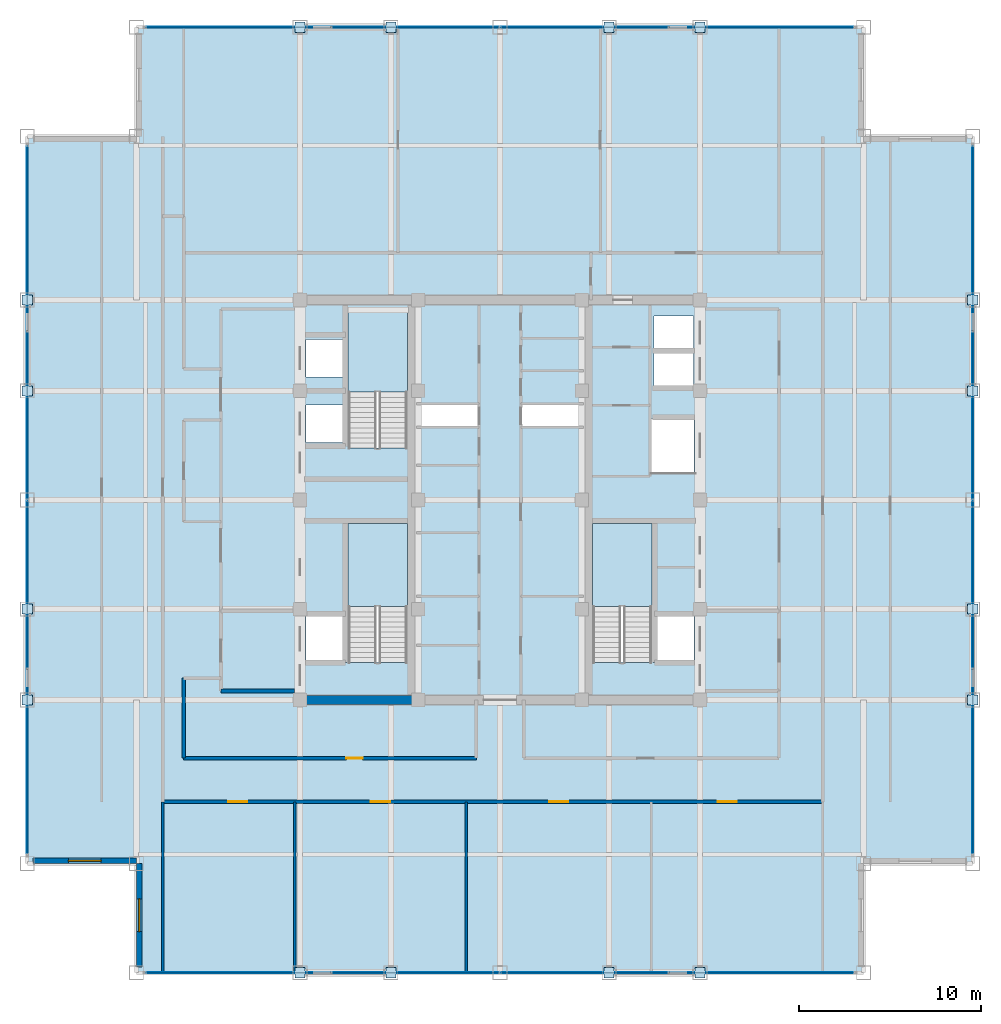
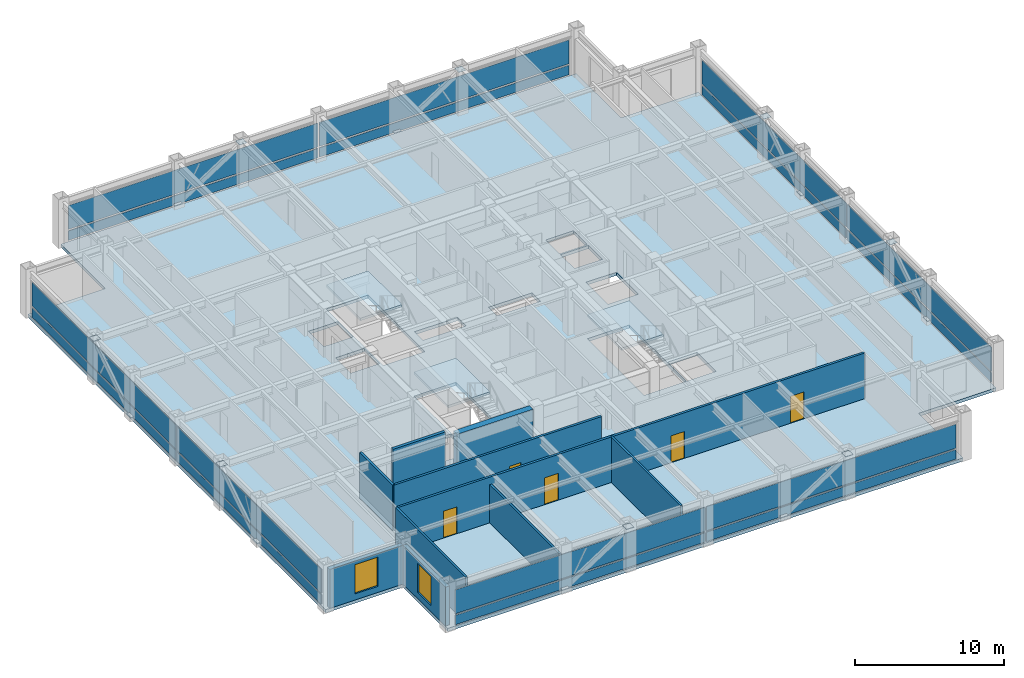
# One storey, part 23 of 28: 32 plates, 10 walls, 5 doors, 4 slabs, 2 windows, 7 openings, 7 elements without a shape of their own.
"""IFC4 building model written with IfcOpenShell, lengths in metres."""

from ifc_helpers import new_model, si_unit, direction, frame, frame_2d, origin, origin_2d, place, context, subcontext, project, spatial, polyline, rectangle, outline, extrude, source, transform, mapped, material, layer, layer_set, type_object, element, fill, aggregate, save


model = new_model("IFC4")

# Units and contexts
model_context = context("Model", 3, precision=1e-05, world=origin(), true_north=direction((0.0, 1.0)))
body_context = subcontext(model_context, "Body", "Model", "MODEL_VIEW")
ifc_project = project(units=[si_unit("LENGTHUNIT", "METRE"), si_unit("AREAUNIT", "SQUARE_METRE"), si_unit("VOLUMEUNIT", "CUBIC_METRE"), si_unit("PLANEANGLEUNIT", "RADIAN"), si_unit("MASSUNIT", "GRAM", prefix="KILO")], contexts=[model_context])

# Site, building, storey
site_placement = place(None, origin())
site = spatial("IfcSite", under=ifc_project, at=site_placement, CompositionType="ELEMENT")
building_placement = place(site_placement, origin())
building = spatial("IfcBuilding", under=site, at=building_placement, Name="Khorayat Bourse Tower", CompositionType="ELEMENT")
storey_placement = place(building_placement, frame((0.0, 0.0, 334.300048828125)))
storey = spatial("IfcBuildingStorey", under=building, at=storey_placement, Name="L79", CompositionType="ELEMENT", Elevation=334.300048828125)

# Stair, slab
ifc_material_1 = material(Name="Concrete C40/50", Category="concrete")
stair_type = type_object("IfcStairType", Name="STR-CORE-1550", PredefinedType="HALF_TURN_STAIR", material=ifc_material_1)
stair_1_placement = place(storey_placement, origin())
stair_1 = element("IfcStair", 1, at=stair_1_placement, inside=storey, type_object=stair_type, Name="L79 Exit Stair ST-1", PredefinedType="HALF_TURN_STAIR")
ifc_layer_1 = layer(ifc_material_1, 0.199951171875)
ifc_layer_set_1 = layer_set([ifc_layer_1], Name="Concrete C40/50")
slab_type_1 = type_object("IfcSlabType", Name="SLB-LANDING-200", PredefinedType="LANDING", material=ifc_layer_set_1)
slab_1_placement = place(storey_placement, frame((0.0, 0.0, 1.800048828125)))
slab_1 = element("IfcSlab", 2, at=slab_1_placement, type_object=slab_type_1, Name="ST-1 landing 1", PredefinedType="LANDING", context=body_context, shape_type="SweptSolid", body=[
    extrude(outline(polyline([(-5.10009765625, -5.8701171875), (-5.10009765625, -1.300048828125), (-8.35009765625, -1.300048828125), (-8.35009765625, -5.8701171875), (-5.10009765625, -5.8701171875)])), origin(), (0.0, 0.0, 1.0), 0.199951171875),
])
aggregate(stair_1, [slab_1])

stair_2_placement = place(storey_placement, origin())
stair_2 = element("IfcStair", 3, at=stair_2_placement, inside=storey, type_object=stair_type, Name="L79 Exit Stair ST-2", PredefinedType="HALF_TURN_STAIR")
slab_2_placement = place(storey_placement, frame((0.0, 0.0, 1.800048828125)))
slab_2 = element("IfcSlab", 4, at=slab_2_placement, type_object=slab_type_1, Name="ST-2 landing 1", PredefinedType="LANDING", context=body_context, shape_type="SweptSolid", body=[
    extrude(outline(polyline([(-5.10009765625, 5.929931640625), (-5.10009765625, 10.5), (-8.35009765625, 10.5), (-8.35009765625, 5.929931640625), (-5.10009765625, 5.929931640625)])), origin(), (0.0, 0.0, 1.0), 0.199951171875),
])
aggregate(stair_2, [slab_2])

stair_3_placement = place(storey_placement, origin())
stair_3 = element("IfcStair", 5, at=stair_3_placement, inside=storey, type_object=stair_type, Name="L79 Exit Stair ST-3", PredefinedType="HALF_TURN_STAIR")
slab_3_placement = place(storey_placement, frame((0.0, 0.0, 1.800048828125)))
slab_3 = element("IfcSlab", 6, at=slab_3_placement, type_object=slab_type_1, Name="ST-3 landing 1", PredefinedType="LANDING", context=body_context, shape_type="SweptSolid", body=[
    extrude(outline(polyline([(8.35009765625, -5.8701171875), (8.35009765625, -1.300048828125), (5.10009765625, -1.300048828125), (5.10009765625, -5.8701171875), (8.35009765625, -5.8701171875)])), origin(), (0.0, 0.0, 1.0), 0.199951171875),
])
aggregate(stair_3, [slab_3])

# Slab
ifc_layer_2 = layer(ifc_material_1, 0.219970703125)
ifc_layer_set_2 = layer_set([ifc_layer_2], Name="Concrete C40/50")
slab_type_2 = type_object("IfcSlabType", Name="SLB-OFFICE-220", PredefinedType="FLOOR", material=ifc_layer_set_2)
slab_4_placement = place(storey_placement, frame((0.0, 0.0, -0.260009765625)))
element("IfcSlab", 7, at=slab_4_placement, inside=storey, type_object=slab_type_2, Name="L79 Main Floor Slab", PredefinedType="FLOOR", context=body_context, shape_type="SweptSolid", body=[
    extrude(outline(polyline([(-20.0, -26.0), (20.0, -26.0), (20.0, -20.0), (26.0, -20.0), (26.0, 20.0), (20.0, 20.0), (20.0, 26.0), (-20.0, 26.0), (-20.0, 20.0), (-26.0, 20.0), (-26.0, -20.0), (-20.0, -20.0), (-20.0, -26.0)]), holes=[polyline([(-8.35009765625, -8.945068359375), (-5.10009765625, -8.945068359375), (-5.10009765625, -1.300048828125), (-8.35009765625, -1.300048828125), (-8.35009765625, -8.945068359375)]), polyline([(-8.35009765625, 2.85498046875), (-5.10009765625, 2.85498046875), (-5.10009765625, 10.5), (-8.35009765625, 10.5), (-8.35009765625, 2.85498046875)]), polyline([(5.10009765625, -8.945068359375), (8.35009765625, -8.945068359375), (8.35009765625, -1.300048828125), (5.10009765625, -1.300048828125), (5.10009765625, -8.945068359375)]), polyline([(-10.679931640625, 3.169921875), (-8.419921875, 3.169921875), (-8.419921875, 5.22998046875), (-10.679931640625, 5.22998046875), (-10.679931640625, 3.169921875)]), polyline([(-10.679931640625, 6.77001953125), (-8.419921875, 6.77001953125), (-8.419921875, 8.830078125), (-10.679931640625, 8.830078125), (-10.679931640625, 6.77001953125)]), polyline([(8.469970703125, 6.27001953125), (10.6298828125, 6.27001953125), (10.6298828125, 8.1298828125), (8.469970703125, 8.1298828125), (8.469970703125, 6.27001953125)]), polyline([(8.469970703125, 8.27001953125), (10.6298828125, 8.27001953125), (10.6298828125, 10.1298828125), (8.469970703125, 10.1298828125), (8.469970703125, 8.27001953125)]), polyline([(-10.679931640625, -8.929931640625), (-8.419921875, -8.929931640625), (-8.419921875, -6.3701171875), (-10.679931640625, -6.3701171875), (-10.679931640625, -8.929931640625)]), polyline([(8.419921875, -8.929931640625), (10.679931640625, -8.929931640625), (10.679931640625, -6.3701171875), (8.419921875, -6.3701171875), (8.419921875, -8.929931640625)]), polyline([(8.320068359375, 1.52001953125), (10.679931640625, 1.52001953125), (10.679931640625, 4.47998046875), (8.320068359375, 4.47998046875), (8.320068359375, 1.52001953125)]), polyline([(-4.56005859375, 4.080078125), (-1.18994140625, 4.080078125), (-1.18994140625, 5.219970703125), (-4.56005859375, 5.219970703125), (-4.56005859375, 4.080078125)]), polyline([(1.18994140625, 4.080078125), (4.56005859375, 4.080078125), (4.56005859375, 5.219970703125), (1.18994140625, 5.219970703125), (1.18994140625, 4.080078125)])]), origin(), (0.0, 0.0, 1.0), 0.260009765625),
])

# Plates
ifc_material_2 = material(Name="Steel EN 10025-2 S355J2", Category="steel")
ifc_layer_3 = layer(ifc_material_2, 0.02490234375)
ifc_layer_set_3 = layer_set([ifc_layer_3], Name="Steel EN 10025-2 S355J2")
plate_type_1 = type_object("IfcPlateType", Name="PLT-ENDCAP-25", PredefinedType="SHEET", material=ifc_layer_set_3)
shared_shape_1 = source(origin(), body_context, "Body", "SweptSolid", [
    extrude(rectangle(XDim=0.56005859375, YDim=0.56005859375, at=origin_2d()), origin(), (0.0, 0.0, 1.0), 0.02490234375),
])
for number, where, z_axis, x_axis, name in (
    (8, (-11.0, -26.0, 0.237548828125), (0.0, 0.0, 1.0), (1.0, 0.0, 0.0), "L79 Perimeter Brace End Plate 001"),
    (9, (-6.0, -26.0, 3.4775390625), (0.0, 0.0, 1.0), (1.0, 0.0, 0.0), "L79 Perimeter Brace End Plate 002"),
    (10, (6.0, -26.0, 0.237548828125), (0.0, 0.0, 1.0), (1.0, 0.0, 0.0), "L79 Perimeter Brace End Plate 003"),
    (11, (11.0, -26.0, 3.4775390625), (0.0, 0.0, 1.0), (1.0, 0.0, 0.0), "L79 Perimeter Brace End Plate 004"),
    (12, (-11.0, 26.0, 0.237548828125), (0.0, 0.0, 1.0), (1.0, 0.0, 0.0), "L79 Perimeter Brace End Plate 005"),
    (13, (-6.0, 26.0, 3.4775390625), (0.0, 0.0, 1.0), (1.0, 0.0, 0.0), "L79 Perimeter Brace End Plate 006"),
    (14, (6.0, 26.0, 0.237548828125), (0.0, 0.0, 1.0), (1.0, 0.0, 0.0), "L79 Perimeter Brace End Plate 007"),
    (15, (11.0, 26.0, 3.4775390625), (0.0, 0.0, 1.0), (1.0, 0.0, 0.0), "L79 Perimeter Brace End Plate 008"),
    (16, (-26.0, -11.0, 0.237548828125), (0.0, 0.0, 1.0), (1.0, 0.0, 0.0), "L79 Perimeter Brace End Plate 009"),
    (17, (-26.0, -6.0, 3.4775390625), (0.0, 0.0, 1.0), (1.0, 0.0, 0.0), "L79 Perimeter Brace End Plate 010"),
    (18, (-26.0, 6.0, 0.237548828125), (0.0, 0.0, 1.0), (1.0, 0.0, 0.0), "L79 Perimeter Brace End Plate 011"),
    (19, (-26.0, 11.0, 3.4775390625), (0.0, 0.0, 1.0), (1.0, 0.0, 0.0), "L79 Perimeter Brace End Plate 012"),
    (20, (26.0, -11.0, 0.237548828125), (0.0, 0.0, 1.0), (1.0, 0.0, 0.0), "L79 Perimeter Brace End Plate 013"),
    (21, (26.0, -6.0, 3.4775390625), (0.0, 0.0, 1.0), (1.0, 0.0, 0.0), "L79 Perimeter Brace End Plate 014"),
    (22, (26.0, 6.0, 0.237548828125), (0.0, 0.0, 1.0), (1.0, 0.0, 0.0), "L79 Perimeter Brace End Plate 015"),
    (23, (26.0, 11.0, 3.4775390625), (0.0, 0.0, 1.0), (1.0, 0.0, 0.0), "L79 Perimeter Brace End Plate 016"),
):
    element("IfcPlate", number, at=place(storey_placement, frame(where, z_axis=z_axis, x_axis=x_axis)), inside=storey, type_object=plate_type_1, Name=name, PredefinedType="SHEET", context=body_context, shape_type="MappedRepresentation", body=[
        mapped(shared_shape_1, transform((0.0, 0.0, 0.0), scale=1.0)),
    ])

# Curtain wall, plates
ifc_material_3 = material(Name="Aluminium EN AW-6063 T6", Category="aluminium")
curtain_wall_type = type_object("IfcCurtainWallType", Name="CW-SYS-04", PredefinedType="NOTDEFINED", material=ifc_material_3)
curtain_wall_1_placement = place(storey_placement, origin())
curtain_wall_1 = element("IfcCurtainWall", 24, at=curtain_wall_1_placement, inside=storey, type_object=curtain_wall_type, Name="L79 Curtain Wall CW-L79-S1", PredefinedType="NOTDEFINED")
ifc_material_4 = material(Name="Honed desert limestone insulated spandrel", Category="masonry")
ifc_layer_4 = layer(ifc_material_4, 0.06494140625)
ifc_layer_set_4 = layer_set([ifc_layer_4], Name="Honed desert limestone insulated spandrel")
plate_type_2 = type_object("IfcPlateType", Name="CWP-SPAND-03", PredefinedType="CURTAIN_PANEL", material=ifc_layer_set_4)
shared_shape_2 = source(origin(), body_context, "Body", "SweptSolid", [
    extrude(rectangle(XDim=19.3701171875, YDim=0.06494140625, at=origin_2d()), origin(), (0.0, 0.0, 1.0), 0.77001953125),
])
plate_1_placement = place(storey_placement, frame((-9.7451171875, -26.0, 0.119873046875), z_axis=(0.0, 0.0, 1.0), x_axis=(1.0, 0.0, 0.0)))
plate_1 = element("IfcPlate", 25, at=plate_1_placement, type_object=plate_type_2, Name="CW-L79-S1 Spandrel Panel 1-1", PredefinedType="CURTAIN_PANEL", context=body_context, shape_type="MappedRepresentation", body=[
    mapped(shared_shape_2, transform((0.0, 0.0, 0.0), scale=1.0)),
])
plate_2_placement = place(storey_placement, frame((9.7451171875, -26.0, 0.119873046875), z_axis=(0.0, 0.0, 1.0), x_axis=(1.0, 0.0, 0.0)))
plate_2 = element("IfcPlate", 26, at=plate_2_placement, type_object=plate_type_2, Name="CW-L79-S1 Spandrel Panel 2-1", PredefinedType="CURTAIN_PANEL", context=body_context, shape_type="MappedRepresentation", body=[
    mapped(shared_shape_2, transform((0.0, 0.0, 0.0), scale=1.0)),
])

curtain_wall_2_placement = place(storey_placement, origin())
curtain_wall_2 = element("IfcCurtainWall", 27, at=curtain_wall_2_placement, inside=storey, type_object=curtain_wall_type, Name="L79 Curtain Wall CW-L79-N1", PredefinedType="NOTDEFINED")
plate_3_placement = place(storey_placement, frame((-9.7451171875, 26.0, 0.119873046875), z_axis=(0.0, 0.0, 1.0), x_axis=(1.0, 0.0, 0.0)))
plate_3 = element("IfcPlate", 28, at=plate_3_placement, type_object=plate_type_2, Name="CW-L79-N1 Spandrel Panel 1-1", PredefinedType="CURTAIN_PANEL", context=body_context, shape_type="MappedRepresentation", body=[
    mapped(shared_shape_2, transform((0.0, 0.0, 0.0), scale=1.0)),
])
plate_4_placement = place(storey_placement, frame((9.7451171875, 26.0, 0.119873046875), z_axis=(0.0, 0.0, 1.0), x_axis=(1.0, 0.0, 0.0)))
plate_4 = element("IfcPlate", 29, at=plate_4_placement, type_object=plate_type_2, Name="CW-L79-N1 Spandrel Panel 2-1", PredefinedType="CURTAIN_PANEL", context=body_context, shape_type="MappedRepresentation", body=[
    mapped(shared_shape_2, transform((0.0, 0.0, 0.0), scale=1.0)),
])

curtain_wall_3_placement = place(storey_placement, origin())
curtain_wall_3 = element("IfcCurtainWall", 30, at=curtain_wall_3_placement, inside=storey, type_object=curtain_wall_type, Name="L79 Curtain Wall CW-L79-W1", PredefinedType="NOTDEFINED")
plate_5_placement = place(storey_placement, frame((-26.0, -9.7451171875, 0.119873046875), z_axis=(0.0, 0.0, 1.0), x_axis=(0.0, 1.0, 0.0)))
plate_5 = element("IfcPlate", 31, at=plate_5_placement, type_object=plate_type_2, Name="CW-L79-W1 Spandrel Panel 1-1", PredefinedType="CURTAIN_PANEL", context=body_context, shape_type="MappedRepresentation", body=[
    mapped(shared_shape_2, transform((0.0, 0.0, 0.0), scale=1.0)),
])
plate_6_placement = place(storey_placement, frame((-26.0, 9.7451171875, 0.119873046875), z_axis=(0.0, 0.0, 1.0), x_axis=(0.0, 1.0, 0.0)))
plate_6 = element("IfcPlate", 32, at=plate_6_placement, type_object=plate_type_2, Name="CW-L79-W1 Spandrel Panel 2-1", PredefinedType="CURTAIN_PANEL", context=body_context, shape_type="MappedRepresentation", body=[
    mapped(shared_shape_2, transform((0.0, 0.0, 0.0), scale=1.0)),
])

curtain_wall_4_placement = place(storey_placement, origin())
curtain_wall_4 = element("IfcCurtainWall", 33, at=curtain_wall_4_placement, inside=storey, type_object=curtain_wall_type, Name="L79 Curtain Wall CW-L79-E1", PredefinedType="NOTDEFINED")
plate_7_placement = place(storey_placement, frame((26.0, -9.7451171875, 0.119873046875), z_axis=(0.0, 0.0, 1.0), x_axis=(0.0, 1.0, 0.0)))
plate_7 = element("IfcPlate", 34, at=plate_7_placement, type_object=plate_type_2, Name="CW-L79-E1 Spandrel Panel 1-1", PredefinedType="CURTAIN_PANEL", context=body_context, shape_type="MappedRepresentation", body=[
    mapped(shared_shape_2, transform((0.0, 0.0, 0.0), scale=1.0)),
])
plate_8_placement = place(storey_placement, frame((26.0, 9.7451171875, 0.119873046875), z_axis=(0.0, 0.0, 1.0), x_axis=(0.0, 1.0, 0.0)))
plate_8 = element("IfcPlate", 35, at=plate_8_placement, type_object=plate_type_2, Name="CW-L79-E1 Spandrel Panel 2-1", PredefinedType="CURTAIN_PANEL", context=body_context, shape_type="MappedRepresentation", body=[
    mapped(shared_shape_2, transform((0.0, 0.0, 0.0), scale=1.0)),
])

# Plate
ifc_material_5 = material(Name="Low-E solar-control laminated double glazing", Category="glass")
ifc_layer_5 = layer(ifc_material_5, 0.0419921875)
ifc_layer_set_5 = layer_set([ifc_layer_5], Name="Low-E solar-control laminated double glazing")
plate_type_3 = type_object("IfcPlateType", Name="CWP-FACET-02", PredefinedType="CURTAIN_PANEL", material=ifc_layer_set_5)
shared_shape_3 = source(origin(), body_context, "Body", "SweptSolid", [
    extrude(rectangle(XDim=19.3701171875, YDim=0.0419921875, at=origin_2d()), origin(), (0.0, 0.0, 1.0), 1.9599609375),
])
plate_9_placement = place(storey_placement, frame((-9.7451171875, -26.0, 1.010009765625), z_axis=(0.0, 0.0, 1.0), x_axis=(1.0, 0.0, 0.0)))
plate_9 = element("IfcPlate", 36, at=plate_9_placement, type_object=plate_type_3, Name="CW-L79-S1 Vision Panel 1-2", PredefinedType="CURTAIN_PANEL", context=body_context, shape_type="MappedRepresentation", body=[
    mapped(shared_shape_3, transform((0.0, 0.0, 0.0), scale=1.0)),
])

plate_10_placement = place(storey_placement, frame((9.7451171875, -26.0, 1.010009765625), z_axis=(0.0, 0.0, 1.0), x_axis=(1.0, 0.0, 0.0)))
plate_10 = element("IfcPlate", 37, at=plate_10_placement, type_object=plate_type_3, Name="CW-L79-S1 Vision Panel 2-2", PredefinedType="CURTAIN_PANEL", context=body_context, shape_type="MappedRepresentation", body=[
    mapped(shared_shape_3, transform((0.0, 0.0, 0.0), scale=1.0)),
])

aggregate(curtain_wall_1, [plate_1, plate_9, plate_2, plate_10])

plate_11_placement = place(storey_placement, frame((-9.7451171875, 26.0, 1.010009765625), z_axis=(0.0, 0.0, 1.0), x_axis=(1.0, 0.0, 0.0)))
plate_11 = element("IfcPlate", 38, at=plate_11_placement, type_object=plate_type_3, Name="CW-L79-N1 Vision Panel 1-2", PredefinedType="CURTAIN_PANEL", context=body_context, shape_type="MappedRepresentation", body=[
    mapped(shared_shape_3, transform((0.0, 0.0, 0.0), scale=1.0)),
])

plate_12_placement = place(storey_placement, frame((9.7451171875, 26.0, 1.010009765625), z_axis=(0.0, 0.0, 1.0), x_axis=(1.0, 0.0, 0.0)))
plate_12 = element("IfcPlate", 39, at=plate_12_placement, type_object=plate_type_3, Name="CW-L79-N1 Vision Panel 2-2", PredefinedType="CURTAIN_PANEL", context=body_context, shape_type="MappedRepresentation", body=[
    mapped(shared_shape_3, transform((0.0, 0.0, 0.0), scale=1.0)),
])

aggregate(curtain_wall_2, [plate_3, plate_11, plate_4, plate_12])

plate_13_placement = place(storey_placement, frame((-26.0, -9.7451171875, 1.010009765625), z_axis=(0.0, 0.0, 1.0), x_axis=(0.0, 1.0, 0.0)))
plate_13 = element("IfcPlate", 40, at=plate_13_placement, type_object=plate_type_3, Name="CW-L79-W1 Vision Panel 1-2", PredefinedType="CURTAIN_PANEL", context=body_context, shape_type="MappedRepresentation", body=[
    mapped(shared_shape_3, transform((0.0, 0.0, 0.0), scale=1.0)),
])

plate_14_placement = place(storey_placement, frame((-26.0, 9.7451171875, 1.010009765625), z_axis=(0.0, 0.0, 1.0), x_axis=(0.0, 1.0, 0.0)))
plate_14 = element("IfcPlate", 41, at=plate_14_placement, type_object=plate_type_3, Name="CW-L79-W1 Vision Panel 2-2", PredefinedType="CURTAIN_PANEL", context=body_context, shape_type="MappedRepresentation", body=[
    mapped(shared_shape_3, transform((0.0, 0.0, 0.0), scale=1.0)),
])

aggregate(curtain_wall_3, [plate_5, plate_13, plate_6, plate_14])

plate_15_placement = place(storey_placement, frame((26.0, -9.7451171875, 1.010009765625), z_axis=(0.0, 0.0, 1.0), x_axis=(0.0, 1.0, 0.0)))
plate_15 = element("IfcPlate", 42, at=plate_15_placement, type_object=plate_type_3, Name="CW-L79-E1 Vision Panel 1-2", PredefinedType="CURTAIN_PANEL", context=body_context, shape_type="MappedRepresentation", body=[
    mapped(shared_shape_3, transform((0.0, 0.0, 0.0), scale=1.0)),
])

plate_16_placement = place(storey_placement, frame((26.0, 9.7451171875, 1.010009765625), z_axis=(0.0, 0.0, 1.0), x_axis=(0.0, 1.0, 0.0)))
plate_16 = element("IfcPlate", 43, at=plate_16_placement, type_object=plate_type_3, Name="CW-L79-E1 Vision Panel 2-2", PredefinedType="CURTAIN_PANEL", context=body_context, shape_type="MappedRepresentation", body=[
    mapped(shared_shape_3, transform((0.0, 0.0, 0.0), scale=1.0)),
])

aggregate(curtain_wall_4, [plate_7, plate_15, plate_8, plate_16])

# Wall
ifc_material_6 = material(Name="Concrete C52/65", Category="concrete")
ifc_layer_6 = layer(ifc_material_6, 0.5)
ifc_layer_set_6 = layer_set([ifc_layer_6], Name="Concrete C52/65")
wall_type_1 = type_object("IfcWallType", Name="WAL-CORE-500", PredefinedType="SHEAR", material=ifc_layer_set_6)
shared_shape_4 = source(origin(), body_context, "Body", "SweptSolid", [
    extrude(rectangle(XDim=5.89990234375, YDim=0.5, at=frame_2d((2.949951171875, 0.0))), origin(), (0.0, 0.0, 1.0), 3.739990234375),
])
wall_1_placement = place(storey_placement, frame((-10.75, -11.0, 0.0), z_axis=(0.0, 0.0, 1.0), x_axis=(1.0, 0.0, 0.0)))
element("IfcWall", 44, at=wall_1_placement, inside=storey, type_object=wall_type_1, Name="L79 Core Shear Wall PIER-WS", PredefinedType="SHEAR", context=body_context, shape_type="MappedRepresentation", body=[
    mapped(shared_shape_4, transform((0.0, 0.0, 0.0), scale=1.0)),
])

# Wall, opening, window
ifc_material_7 = material(Name="Precast concrete C45/55", Category="concrete")
ifc_layer_7 = layer(ifc_material_7, 0.320068359375)
ifc_layer_set_7 = layer_set([ifc_layer_7], Name="Precast concrete C45/55")
wall_type_2 = type_object("IfcWallType", Name="WAL-EXT-STONE-320", PredefinedType="STANDARD", material=ifc_layer_set_7)
shared_shape_5 = source(origin(), body_context, "Body", "SweptSolid", [
    extrude(rectangle(XDim=5.679931640625, YDim=0.320068359375, at=frame_2d((2.83984375, 0.0))), origin(), (0.0, 0.0, 1.0), 3.19091796875),
])
wall_2_placement = place(storey_placement, frame((-20.0, -19.840087890625, 0.0), z_axis=(0.0, 0.0, 1.0), x_axis=(-1.0, 0.0, 0.0)))
wall_2 = element("IfcWall", 45, at=wall_2_placement, inside=storey, type_object=wall_type_2, Name="L79 Re-Entrant Notch Limestone Wall SW-H", PredefinedType="STANDARD", context=body_context, shape_type="MappedRepresentation", body=[
    mapped(shared_shape_5, transform((0.0, 0.0, 0.0), scale=1.0)),
])
shared_shape_6 = source(origin(), body_context, "Body", "SweptSolid", [
    extrude(rectangle(XDim=1.800048828125, YDim=2.39990234375, at=frame_2d((0.89990234375, 1.199951171875))), frame((0.0, 0.169921875, 0.0), z_axis=(0.0, -1.0, 0.0), x_axis=(1.0, 0.0, 0.0)), (0.0, 0.0, 1.0), 0.340087890625),
])
opening_1_placement = place(wall_2_placement, frame((1.93994140625, 0.0, 0.5)))
opening_1 = element("IfcOpeningElement", 46, at=opening_1_placement, cuts=wall_2, Name="Opening WN-04", PredefinedType="OPENING", context=body_context, shape_type="MappedRepresentation", body=[
    mapped(shared_shape_6, transform((0.0, 0.0, 0.0), scale=1.0)),
])
ifc_material_8 = material(Name="Low-E acoustic laminated double glazing", Category="glass")
window_type = type_object("IfcWindowType", Name="WIN-NOTCH-1800x2400", PartitioningType="SINGLE_PANEL", PredefinedType="WINDOW", material=ifc_material_8)
shared_shape_7 = source(origin(), body_context, "Body", "SweptSolid", [
    extrude(rectangle(XDim=1.800048828125, YDim=2.39990234375, at=frame_2d((0.89990234375, 1.199951171875))), frame((0.0, 0.030029296875, 0.0), z_axis=(0.0, -1.0, 0.0), x_axis=(1.0, 0.0, 0.0)), (0.0, 0.0, 1.0), 0.06005859375),
])
window_1_placement = place(opening_1_placement, origin())
window_1 = element("IfcWindow", 47, at=window_1_placement, inside=storey, type_object=window_type, Name="L79 Facade Window 1", OverallHeight=2.39990234375, OverallWidth=1.800048828125, PartitioningType="SINGLE_PANEL", PredefinedType="WINDOW", context=body_context, shape_type="MappedRepresentation", body=[
    mapped(shared_shape_7, transform((0.0, 0.0, 0.0), scale=1.0)),
])
fill(opening_1, window_1)

wall_3_placement = place(storey_placement, frame((-19.840087890625, -25.679931640625, 0.0), z_axis=(0.0, 0.0, 1.0), x_axis=(0.0, 1.0, 0.0)))
wall_3 = element("IfcWall", 48, at=wall_3_placement, inside=storey, type_object=wall_type_2, Name="L79 Re-Entrant Notch Limestone Wall SW-V", PredefinedType="STANDARD", context=body_context, shape_type="MappedRepresentation", body=[
    mapped(shared_shape_5, transform((0.0, 0.0, 0.0), scale=1.0)),
])
opening_2_placement = place(wall_3_placement, frame((1.93994140625, 0.0, 0.5)))
opening_2 = element("IfcOpeningElement", 49, at=opening_2_placement, cuts=wall_3, Name="Opening WN-04", PredefinedType="OPENING", context=body_context, shape_type="MappedRepresentation", body=[
    mapped(shared_shape_6, transform((0.0, 0.0, 0.0), scale=1.0)),
])
window_2_placement = place(opening_2_placement, origin())
window_2 = element("IfcWindow", 50, at=window_2_placement, inside=storey, type_object=window_type, Name="L79 Facade Window 1", OverallHeight=2.39990234375, OverallWidth=1.800048828125, PartitioningType="SINGLE_PANEL", PredefinedType="WINDOW", context=body_context, shape_type="MappedRepresentation", body=[
    mapped(shared_shape_7, transform((0.0, 0.0, 0.0), scale=1.0)),
])
fill(opening_2, window_2)

# Wall
ifc_material_9 = material(Name="Aerated concrete blockwork", Category="masonry")
ifc_layer_8 = layer(ifc_material_9, 0.219970703125)
ifc_layer_set_8 = layer_set([ifc_layer_8], Name="Aerated concrete blockwork")
wall_type_3 = type_object("IfcWallType", Name="WAL-PART-FF-220", PredefinedType="PARTITIONING", material=ifc_layer_set_8)
shared_shape_8 = source(origin(), body_context, "Body", "SweptSolid", [
    extrude(rectangle(XDim=4.050048828125, YDim=0.219970703125, at=frame_2d((2.02490234375, 0.0))), origin(), (0.0, 0.0, 1.0), 3.739990234375),
])
wall_4_placement = place(storey_placement, frame((-15.35009765625, -10.5, 0.0), z_axis=(0.0, 0.0, 1.0), x_axis=(1.0, 0.0, 0.0)))
element("IfcWall", 51, at=wall_4_placement, inside=storey, type_object=wall_type_3, Name="L79 Partition WAL-L79-FFLW-S", PredefinedType="PARTITIONING", context=body_context, shape_type="MappedRepresentation", body=[
    mapped(shared_shape_8, transform((0.0, 0.0, 0.0), scale=1.0)),
])

# Wall, opening, door
ifc_material_10 = material(Name="Gypsum plasterboard acoustic stud wall")
ifc_layer_9 = layer(ifc_material_10, 0.179931640625)
ifc_layer_set_9 = layer_set([ifc_layer_9], Name="Gypsum plasterboard acoustic stud wall")
wall_type_4 = type_object("IfcWallType", Name="WAL-PART-CORR-180", PredefinedType="PARTITIONING", material=ifc_layer_set_9)
shared_shape_9 = source(origin(), body_context, "Body", "SweptSolid", [
    extrude(rectangle(XDim=16.099853515625, YDim=0.179931640625, at=frame_2d((8.0498046875, 0.0))), origin(), (0.0, 0.0, 1.0), 3.739990234375),
])
wall_5_placement = place(storey_placement, frame((-17.39990234375, -14.199951171875, 0.0), z_axis=(0.0, 0.0, 1.0), x_axis=(1.0, 0.0, 0.0)))
wall_5 = element("IfcWall", 52, at=wall_5_placement, inside=storey, type_object=wall_type_4, Name="L79 Partition WAL-L79-PKSW-S", PredefinedType="PARTITIONING", context=body_context, shape_type="MappedRepresentation", body=[
    mapped(shared_shape_9, transform((0.0, 0.0, 0.0), scale=1.0)),
])
shared_shape_10 = source(origin(), body_context, "Body", "SweptSolid", [
    extrude(rectangle(XDim=0.89990234375, YDim=2.14990234375, at=frame_2d((0.449951171875, 1.074951171875))), frame((0.0, 0.099853515625, 0.0), z_axis=(0.0, -1.0, 0.0), x_axis=(1.0, 0.0, 0.0)), (0.0, 0.0, 1.0), 0.199951171875),
])
opening_3_placement = place(wall_5_placement, frame((8.949951171875, 0.0, 0.0)))
opening_3 = element("IfcOpeningElement", 53, at=opening_3_placement, cuts=wall_5, Name="Opening DI-06", PredefinedType="OPENING", context=body_context, shape_type="MappedRepresentation", body=[
    mapped(shared_shape_10, transform((0.0, 0.0, 0.0), scale=1.0)),
])
ifc_material_11 = material(Name="Moisture-resistant laminate washroom door")
door_type_1 = type_object("IfcDoorType", Name="DR-INT-WC-900", OperationType="NOTDEFINED", PredefinedType="DOOR", material=ifc_material_11)
shared_shape_11 = source(origin(), body_context, "Body", "SweptSolid", [
    extrude(rectangle(XDim=0.89990234375, YDim=2.14990234375, at=frame_2d((0.449951171875, 1.074951171875))), frame((0.0, 0.02490234375, 0.0), z_axis=(0.0, -1.0, 0.0), x_axis=(1.0, 0.0, 0.0)), (0.0, 0.0, 1.0), 0.050048828125),
])
door_1_placement = place(opening_3_placement, origin())
door_1 = element("IfcDoor", 54, at=door_1_placement, inside=storey, type_object=door_type_1, Name="L79 SW Inboard Pantry Door", OperationType="SINGLE_SWING_LEFT", OverallHeight=2.14990234375, OverallWidth=0.89990234375, PredefinedType="DOOR", context=body_context, shape_type="MappedRepresentation", body=[
    mapped(shared_shape_11, transform((0.0, 0.0, 0.0), scale=1.0)),
])
fill(opening_3, door_1)

# Walls
shared_shape_12 = source(origin(), body_context, "Body", "SweptSolid", [
    extrude(rectangle(XDim=4.39990234375, YDim=0.179931640625, at=frame_2d((2.199951171875, 0.0))), origin(), (0.0, 0.0, 1.0), 3.739990234375),
])
wall_6_placement = place(storey_placement, frame((-17.39990234375, -14.199951171875, 0.0), z_axis=(0.0, 0.0, 1.0), x_axis=(0.0, 1.0, 0.0)))
element("IfcWall", 55, at=wall_6_placement, inside=storey, type_object=wall_type_4, Name="L79 Partition WAL-L79-PKSW-W", PredefinedType="PARTITIONING", context=body_context, shape_type="MappedRepresentation", body=[
    mapped(shared_shape_12, transform((0.0, 0.0, 0.0), scale=1.0)),
])
ifc_material_12 = material(Name="Gypsum plasterboard twin-frame partition")
ifc_layer_10 = layer(ifc_material_12, 0.14990234375)
ifc_layer_set_10 = layer_set([ifc_layer_10], Name="Gypsum plasterboard twin-frame partition")
wall_type_5 = type_object("IfcWallType", Name="WAL-PART-SUITE-150", PredefinedType="PARTITIONING", material=ifc_layer_set_10)
shared_shape_13 = source(origin(), body_context, "Body", "SweptSolid", [
    extrude(rectangle(XDim=9.39990234375, YDim=0.14990234375, at=frame_2d((4.699951171875, 0.0))), origin(), (0.0, 0.0, 1.0), 3.1240234375),
])
wall_7_placement = place(storey_placement, frame((-11.2900390625, -26.0, 0.0), z_axis=(0.0, 0.0, 1.0), x_axis=(0.0, 1.0, 0.0)))
element("IfcWall", 56, at=wall_7_placement, inside=storey, type_object=wall_type_5, Name="L79 Partition WAL-L79-SDV-1", PredefinedType="PARTITIONING", context=body_context, shape_type="MappedRepresentation", body=[
    mapped(shared_shape_13, transform((0.0, 0.0, 0.0), scale=1.0)),
])
shared_shape_14 = source(origin(), body_context, "Body", "SweptSolid", [
    extrude(rectangle(XDim=9.39990234375, YDim=0.14990234375, at=frame_2d((4.699951171875, 0.0))), origin(), (0.0, 0.0, 1.0), 3.739990234375),
])
for number, where, z_axis, x_axis, name in (
    (57, (-1.85205078125, -26.0, 0.0), (0.0, 0.0, 1.0), (0.0, 1.0, 0.0), "L79 Partition WAL-L79-SDV-2"),
    (58, (-18.550048828125, -26.0, 0.0), (0.0, 0.0, 1.0), (0.0, 1.0, 0.0), "L79 Partition WAL-L79-SCW-END"),
):
    element("IfcWall", number, at=place(storey_placement, frame(where, z_axis=z_axis, x_axis=x_axis)), inside=storey, type_object=wall_type_5, Name=name, PredefinedType="PARTITIONING", context=body_context, shape_type="MappedRepresentation", body=[
        mapped(shared_shape_14, transform((0.0, 0.0, 0.0), scale=1.0)),
    ])

# Wall, openings, doors
shared_shape_15 = source(origin(), body_context, "Body", "SweptSolid", [
    extrude(rectangle(XDim=36.300048828125, YDim=0.179931640625, at=frame_2d((18.14990234375, 0.0))), origin(), (0.0, 0.0, 1.0), 3.739990234375),
])
wall_8_placement = place(storey_placement, frame((-18.550048828125, -16.60009765625, 0.0), z_axis=(0.0, 0.0, 1.0), x_axis=(1.0, 0.0, 0.0)))
wall_8 = element("IfcWall", 59, at=wall_8_placement, inside=storey, type_object=wall_type_4, Name="L79 Partition WAL-L79-SCORR", PredefinedType="PARTITIONING", context=body_context, shape_type="MappedRepresentation", body=[
    mapped(shared_shape_15, transform((0.0, 0.0, 0.0), scale=1.0)),
])
shared_shape_16 = source(origin(), body_context, "Body", "SweptSolid", [
    extrude(rectangle(XDim=1.050048828125, YDim=2.199951171875, at=frame_2d((0.52490234375, 1.10009765625))), frame((0.0, 0.099853515625, 0.0), z_axis=(0.0, -1.0, 0.0), x_axis=(1.0, 0.0, 0.0)), (0.0, 0.0, 1.0), 0.199951171875),
])
opening_4_placement = place(wall_8_placement, frame((3.60498046875, 0.0, 0.0)))
opening_4 = element("IfcOpeningElement", 60, at=opening_4_placement, cuts=wall_8, Name="Opening DI-04", PredefinedType="OPENING", context=body_context, shape_type="MappedRepresentation", body=[
    mapped(shared_shape_16, transform((0.0, 0.0, 0.0), scale=1.0)),
])
opening_5_placement = place(wall_8_placement, frame((11.4541015625, 0.0, 0.0)))
opening_5 = element("IfcOpeningElement", 61, at=opening_5_placement, cuts=wall_8, Name="Opening DI-04", PredefinedType="OPENING", context=body_context, shape_type="MappedRepresentation", body=[
    mapped(shared_shape_16, transform((0.0, 0.0, 0.0), scale=1.0)),
])
opening_6_placement = place(wall_8_placement, frame((21.2548828125, 0.0, 0.0)))
opening_6 = element("IfcOpeningElement", 62, at=opening_6_placement, cuts=wall_8, Name="Opening DI-04", PredefinedType="OPENING", context=body_context, shape_type="MappedRepresentation", body=[
    mapped(shared_shape_16, transform((0.0, 0.0, 0.0), scale=1.0)),
])
opening_7_placement = place(wall_8_placement, frame((30.531005859375, 0.0, 0.0)))
opening_7 = element("IfcOpeningElement", 63, at=opening_7_placement, cuts=wall_8, Name="Opening DI-04", PredefinedType="OPENING", context=body_context, shape_type="MappedRepresentation", body=[
    mapped(shared_shape_16, transform((0.0, 0.0, 0.0), scale=1.0)),
])
ifc_material_13 = material(Name="Fire-rated oak veneer suite entrance door")
door_type_2 = type_object("IfcDoorType", Name="DR-INT-SUITE-1050", OperationType="NOTDEFINED", PredefinedType="DOOR", material=ifc_material_13)
shared_shape_17 = source(origin(), body_context, "Body", "SweptSolid", [
    extrude(rectangle(XDim=1.050048828125, YDim=2.199951171875, at=frame_2d((0.52490234375, 1.10009765625))), frame((0.0, 0.02490234375, 0.0), z_axis=(0.0, -1.0, 0.0), x_axis=(1.0, 0.0, 0.0)), (0.0, 0.0, 1.0), 0.050048828125),
])
door_2_placement = place(opening_4_placement, origin())
door_2 = element("IfcDoor", 64, at=door_2_placement, inside=storey, type_object=door_type_2, Name="L79 Equities Trading Desk S1 Door", OperationType="SINGLE_SWING_RIGHT", OverallHeight=2.199951171875, OverallWidth=1.050048828125, PredefinedType="DOOR", context=body_context, shape_type="MappedRepresentation", body=[
    mapped(shared_shape_17, transform((0.0, 0.0, 0.0), scale=1.0)),
])
fill(opening_4, door_2)
door_3_placement = place(opening_5_placement, origin())
door_3 = element("IfcDoor", 65, at=door_3_placement, inside=storey, type_object=door_type_2, Name="L79 Clearing Operations Office S2 Door", OperationType="SINGLE_SWING_LEFT", OverallHeight=2.199951171875, OverallWidth=1.050048828125, PredefinedType="DOOR", context=body_context, shape_type="MappedRepresentation", body=[
    mapped(shared_shape_17, transform((0.0, 0.0, 0.0), scale=1.0)),
])
fill(opening_5, door_3)
door_4_placement = place(opening_6_placement, origin())
door_4 = element("IfcDoor", 66, at=door_4_placement, inside=storey, type_object=door_type_2, Name="L79 Market Risk Analytics Workspace S3 Door", OperationType="SINGLE_SWING_RIGHT", OverallHeight=2.199951171875, OverallWidth=1.050048828125, PredefinedType="DOOR", context=body_context, shape_type="MappedRepresentation", body=[
    mapped(shared_shape_17, transform((0.0, 0.0, 0.0), scale=1.0)),
])
fill(opening_6, door_4)
door_5_placement = place(opening_7_placement, origin())
door_5 = element("IfcDoor", 67, at=door_5_placement, inside=storey, type_object=door_type_2, Name="L79 Equities Trading Desk S4 Door", OperationType="SINGLE_SWING_LEFT", OverallHeight=2.199951171875, OverallWidth=1.050048828125, PredefinedType="DOOR", context=body_context, shape_type="MappedRepresentation", body=[
    mapped(shared_shape_17, transform((0.0, 0.0, 0.0), scale=1.0)),
])
fill(opening_7, door_5)

save(model, "model.ifc")
